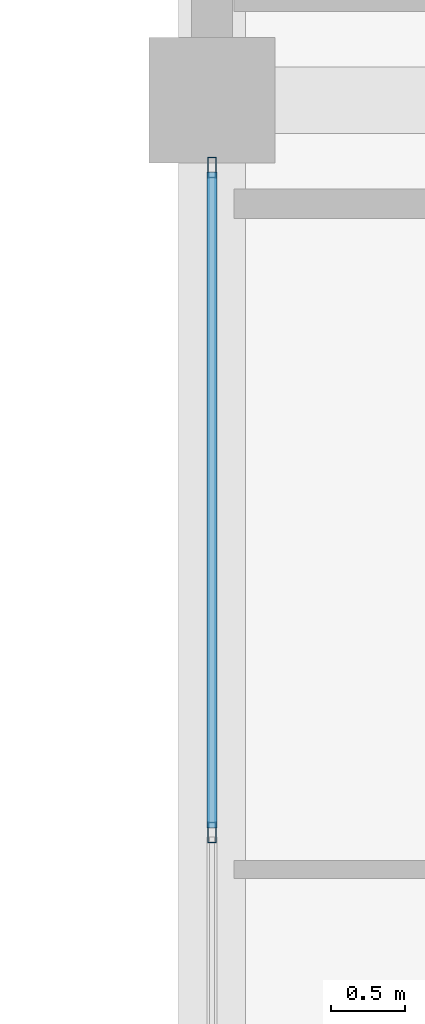
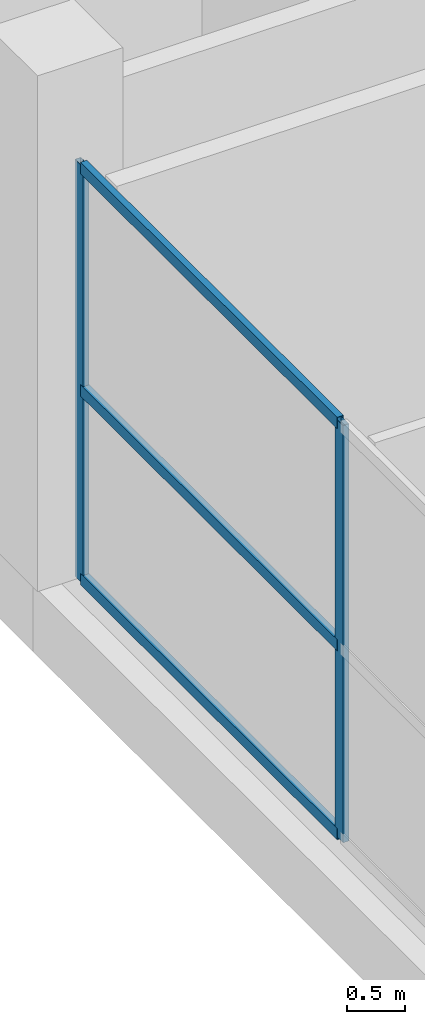
# One storey, part 22 of 74: 5 members, 1 element without a shape of its own.
"""IFC4 building model written with IfcOpenShell, lengths in metres."""

from ifc_helpers import new_model, si_unit, direction, frame, origin, origin_2d, place, context, subcontext, project, spatial, hollow_rectangle, extrude, material, layer, layer_set, material_profile, profile_set, type_object, element, aggregate, save


model = new_model("IFC4")

# Units and contexts
model_context = context("Model", 3, precision=1e-05, world=origin(), true_north=direction((0.0, 1.0)))
body_context = subcontext(model_context, "Body", "Model", "MODEL_VIEW")
ifc_project = project(units=[si_unit("LENGTHUNIT", "METRE"), si_unit("AREAUNIT", "SQUARE_METRE"), si_unit("VOLUMEUNIT", "CUBIC_METRE"), si_unit("PLANEANGLEUNIT", "RADIAN"), si_unit("MASSUNIT", "GRAM", prefix="KILO")], contexts=[model_context])

# Site, building, storey
site_placement = place(None, origin())
site = spatial("IfcSite", under=ifc_project, at=site_placement, CompositionType="ELEMENT")
building_placement = place(site_placement, origin())
building = spatial("IfcBuilding", under=site, at=building_placement, Name="Sillaruma Civic Art Gallery", CompositionType="ELEMENT")
storey_placement = place(building_placement, frame((0.0, 0.0, 5.43994140625)))
storey = spatial("IfcBuildingStorey", under=building, at=storey_placement, Name="L01", CompositionType="ELEMENT", Elevation=5.43994140625)

# Curtain wall, members
ifc_material = material(Name="Thermally Broken Extruded Aluminium 6063-T6", Category="aluminium")
ifc_layer = layer(ifc_material, 0.139892578125, Name="Thermally Broken Extruded Aluminium 6063-T6")
ifc_layer_set = layer_set([ifc_layer], Name="Thermally Broken Extruded Aluminium 6063-T6")
curtain_wall_type = type_object("IfcCurtainWallType", Name="CW-UNI-05", PredefinedType="NOTDEFINED", material=ifc_layer_set)
curtain_wall_placement = place(storey_placement, origin())
curtain_wall = element("IfcCurtainWall", 1, at=curtain_wall_placement, inside=storey, type_object=curtain_wall_type, Name="Unitised Curtain Wall CW-05 (CW-L01-SPW-5)", PredefinedType="NOTDEFINED")
ifc_material_profile_1 = material_profile(ifc_material, hollow_rectangle(XDim=0.06005859375, YDim=0.139892578125, WallThickness=0.00341796875, at=origin_2d()), Name="CWM60x140")
ifc_profile_set_1 = profile_set([ifc_material_profile_1], Name="Thermally Broken Extruded Aluminium 6063-T6")
member_type_1 = type_object("IfcMemberType", Name="MEM-MUL-CWM60x140", PredefinedType="MULLION", material=ifc_profile_set_1)
member_1_placement = place(storey_placement, frame((62.0, 64.35009765625, 0.0), z_axis=(0.0, 0.0, 1.0), x_axis=(-1.0, 0.0, 0.0)))
member_1 = element("IfcMember", 2, at=member_1_placement, type_object=member_type_1, Name="CW-05 mullion 2", PredefinedType="MULLION", context=body_context, shape_type="SweptSolid", body=[
    extrude(hollow_rectangle(XDim=0.06005859375, YDim=0.139892578125, WallThickness=0.00341796875, at=origin_2d()), origin(), (0.0, 0.0, 1.0), 4.400146484375),
])
member_2_placement = place(storey_placement, frame((62.0, 68.844970703125, 0.0), z_axis=(0.0, 0.0, 1.0), x_axis=(-1.0, 0.0, 0.0)))
member_2 = element("IfcMember", 3, at=member_2_placement, type_object=member_type_1, Name="CW-05 mullion 3", PredefinedType="MULLION", context=body_context, shape_type="SweptSolid", body=[
    extrude(hollow_rectangle(XDim=0.06005859375, YDim=0.139892578125, WallThickness=0.00341796875, at=origin_2d()), origin(), (0.0, 0.0, 1.0), 4.400146484375),
])
ifc_material_profile_2 = material_profile(ifc_material, hollow_rectangle(XDim=0.06494140625, YDim=0.1201171875, WallThickness=0.00341796875, at=origin_2d()), Name="CWT65x120")
ifc_profile_set_2 = profile_set([ifc_material_profile_2], Name="Thermally Broken Extruded Aluminium 6063-T6")
member_type_2 = type_object("IfcMemberType", Name="MEM-TRN-CWT65x120", PredefinedType="USERDEFINED", material=ifc_profile_set_2)
member_3_placement = place(storey_placement, frame((62.0, 64.3798828125, 0.032470703125), z_axis=(0.0, 1.0, 0.0), x_axis=(-1.0, 0.0, 0.0)))
member_3 = element("IfcMember", 4, at=member_3_placement, type_object=member_type_2, Name="CW-05 transom 2.1", ObjectType="TRANSOM", PredefinedType="USERDEFINED", context=body_context, shape_type="SweptSolid", body=[
    extrude(hollow_rectangle(XDim=0.06494140625, YDim=0.1201171875, WallThickness=0.00341796875, at=origin_2d()), origin(), (0.0, 0.0, 1.0), 4.43505859375),
])
member_4_placement = place(storey_placement, frame((62.0, 64.3798828125, 2.024169921875), z_axis=(0.0, 1.0, 0.0), x_axis=(-1.0, 0.0, 0.0)))
member_4 = element("IfcMember", 5, at=member_4_placement, type_object=member_type_2, Name="CW-05 transom 2.2", ObjectType="TRANSOM", PredefinedType="USERDEFINED", context=body_context, shape_type="SweptSolid", body=[
    extrude(hollow_rectangle(XDim=0.06494140625, YDim=0.1201171875, WallThickness=0.00341796875, at=origin_2d()), origin(), (0.0, 0.0, 1.0), 4.43505859375),
])
member_5_placement = place(storey_placement, frame((62.0, 64.3798828125, 4.36767578125), z_axis=(0.0, 1.0, 0.0), x_axis=(-1.0, 0.0, 0.0)))
member_5 = element("IfcMember", 6, at=member_5_placement, type_object=member_type_2, Name="CW-05 transom 2.3", ObjectType="TRANSOM", PredefinedType="USERDEFINED", context=body_context, shape_type="SweptSolid", body=[
    extrude(hollow_rectangle(XDim=0.06494140625, YDim=0.1201171875, WallThickness=0.00341796875, at=origin_2d()), origin(), (0.0, 0.0, 1.0), 4.43505859375),
])
aggregate(curtain_wall, [member_1, member_2, member_3, member_4, member_5])

save(model, "model.ifc")
